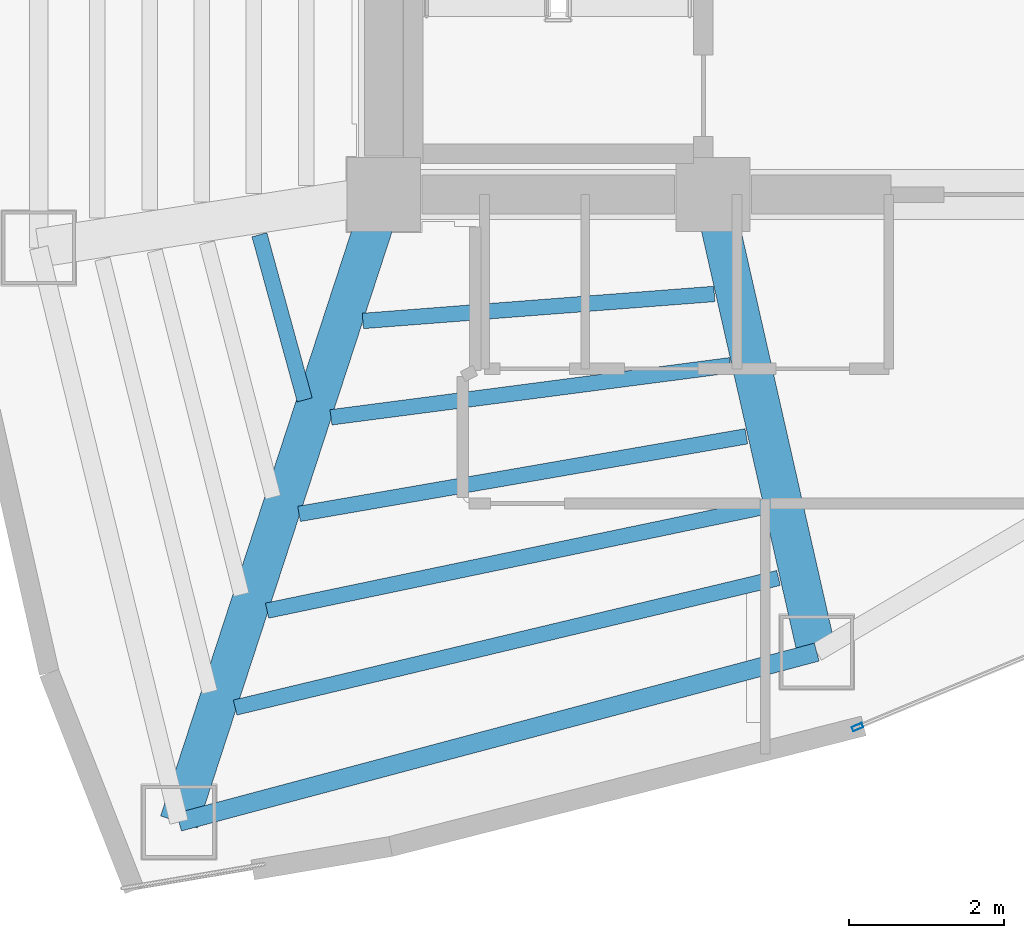
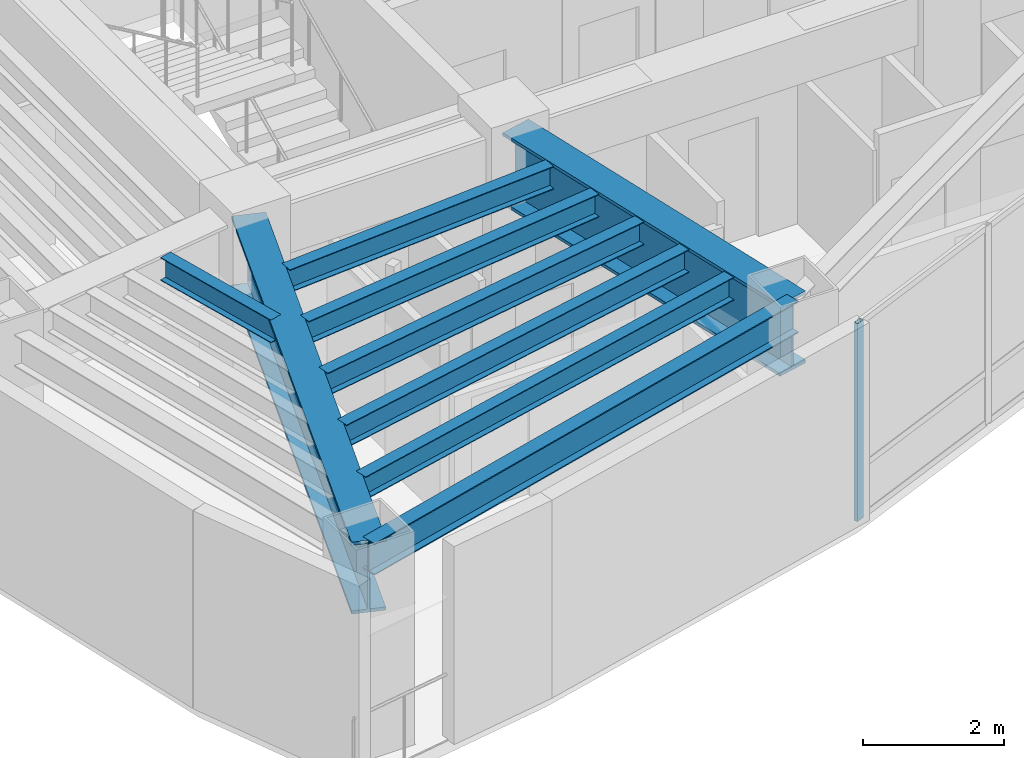
# One storey, part 3 of 14: 9 beams, 1 member, 1 element without a shape of its own.
"""IFC4 building model written with IfcOpenShell, lengths in metres."""

from ifc_helpers import new_model, si_unit, direction, frame, origin, origin_2d, place, context, subcontext, project, spatial, hollow_rectangle, i_section, extrude, material, layer, layer_set, material_profile, profile_set, type_object, element, aggregate, save


model = new_model("IFC4")

# Units and contexts
model_context = context("Model", 3, precision=1e-05, world=origin(), true_north=direction((0.0, 1.0)))
body_context = subcontext(model_context, "Body", "Model", "MODEL_VIEW")
ifc_project = project(units=[si_unit("LENGTHUNIT", "METRE"), si_unit("AREAUNIT", "SQUARE_METRE"), si_unit("VOLUMEUNIT", "CUBIC_METRE"), si_unit("PLANEANGLEUNIT", "RADIAN"), si_unit("MASSUNIT", "GRAM", prefix="KILO")], contexts=[model_context])

# Site, building, storey
site_placement = place(None, origin())
site = spatial("IfcSite", under=ifc_project, at=site_placement, CompositionType="ELEMENT")
building_placement = place(site_placement, origin())
building = spatial("IfcBuilding", under=site, at=building_placement, Name="Menara Vayukalpa", CompositionType="ELEMENT")
storey_placement = place(building_placement, frame((0.0, 0.0, 191.52001953125)))
storey = spatial("IfcBuildingStorey", under=building, at=storey_placement, Name="L48", CompositionType="ELEMENT", Elevation=191.52001953125)

# Beams
ifc_material_1 = material(Name="Steel S355", Category="steel")
ifc_material_profile_1 = material_profile(ifc_material_1, i_section(OverallWidth=0.199951171875, OverallDepth=0.39990234375, WebThickness=0.008056640625, FlangeThickness=0.012939453125, at=origin_2d()), Name="WF 400x200x8x13")
ifc_profile_set_1 = profile_set([ifc_material_profile_1], Name="Steel S355")
beam_type_1 = type_object("IfcBeamType", Name="BM-SJ2", PredefinedType="JOIST", material=ifc_profile_set_1)
beam_1_placement = place(storey_placement, frame((16.193359375, 16.68017578125, 3.239990234375), z_axis=(0.264537731064, -0.964375336082, 0.0), x_axis=(0.964375336082, 0.264537731064, 0.0)))
element("IfcBeam", 1, at=beam_1_placement, inside=storey, type_object=beam_type_1, Name="L48 Secondary Floor Joist SJ06-2", PredefinedType="JOIST", context=body_context, shape_type="SweptSolid", body=[
    extrude(i_section(OverallWidth=0.199951171875, OverallDepth=0.39990234375, WebThickness=0.008056640625, FlangeThickness=0.012939453125, at=origin_2d()), origin(), (0.0, 0.0, 1.0), 2.21044921875),
])
beam_2_placement = place(storey_placement, frame((17.529296875, 15.5673828125, 3.239990234375), z_axis=(0.997061738615, 0.076602150037, 0.0), x_axis=(-0.076602150037, 0.997061738615, 0.0)))
element("IfcBeam", 2, at=beam_2_placement, inside=storey, type_object=beam_type_1, Name="L48 Secondary Floor Joist SJ07-1", PredefinedType="JOIST", context=body_context, shape_type="SweptSolid", body=[
    extrude(i_section(OverallWidth=0.199951171875, OverallDepth=0.39990234375, WebThickness=0.008056640625, FlangeThickness=0.012939453125, at=origin_2d()), origin(), (0.0, 0.0, 1.0), 4.55126953125),
])
beam_3_placement = place(storey_placement, frame((17.1171875, 14.322998046875, 3.239990234375), z_axis=(0.991607477549, 0.129284997073, 0.0), x_axis=(-0.129284997073, 0.991607477549, 0.0)))
element("IfcBeam", 3, at=beam_3_placement, inside=storey, type_object=beam_type_1, Name="L48 Secondary Floor Joist SJ07-2", PredefinedType="JOIST", context=body_context, shape_type="SweptSolid", body=[
    extrude(i_section(OverallWidth=0.199951171875, OverallDepth=0.39990234375, WebThickness=0.008056640625, FlangeThickness=0.012939453125, at=origin_2d()), origin(), (0.0, 0.0, 1.0), 5.20068359375),
])
beam_4_placement = place(storey_placement, frame((16.70458984375, 13.075927734375, 3.239990234375), z_axis=(0.985288673675, 0.17089830171, 0.0), x_axis=(-0.17089830171, 0.985288673675, 0.0)))
element("IfcBeam", 4, at=beam_4_placement, inside=storey, type_object=beam_type_1, Name="L48 Secondary Floor Joist SJ07-3", PredefinedType="JOIST", context=body_context, shape_type="SweptSolid", body=[
    extrude(i_section(OverallWidth=0.199951171875, OverallDepth=0.39990234375, WebThickness=0.008056640625, FlangeThickness=0.012939453125, at=origin_2d()), origin(), (0.0, 0.0, 1.0), 5.86279296875),
])
beam_5_placement = place(storey_placement, frame((16.2919921875, 11.82666015625, 3.239990234375), z_axis=(0.978885821619, 0.204407798858, 0.0), x_axis=(-0.204407798858, 0.978885821619, 0.0)))
element("IfcBeam", 5, at=beam_5_placement, inside=storey, type_object=beam_type_1, Name="L48 Secondary Floor Joist SJ07-4", PredefinedType="JOIST", context=body_context, shape_type="SweptSolid", body=[
    extrude(i_section(OverallWidth=0.199951171875, OverallDepth=0.39990234375, WebThickness=0.008056640625, FlangeThickness=0.012939453125, at=origin_2d()), origin(), (0.0, 0.0, 1.0), 6.534423828125),
])
beam_6_placement = place(storey_placement, frame((15.879638671875, 10.57568359375, 3.239990234375), z_axis=(0.972730982846, 0.231936273601, 0.0), x_axis=(-0.231936273601, 0.972730982846, 0.0)))
element("IfcBeam", 6, at=beam_6_placement, inside=storey, type_object=beam_type_1, Name="L48 Secondary Floor Joist SJ07-5", PredefinedType="JOIST", context=body_context, shape_type="SweptSolid", body=[
    extrude(i_section(OverallWidth=0.199951171875, OverallDepth=0.39990234375, WebThickness=0.008056640625, FlangeThickness=0.012939453125, at=origin_2d()), origin(), (0.0, 0.0, 1.0), 7.212646484375),
])
ifc_material_2 = material(Name="Steel S355", Category="steel")
ifc_material_profile_2 = material_profile(ifc_material_2, i_section(OverallWidth=0.239990234375, OverallDepth=0.550048828125, WebThickness=0.010986328125, FlangeThickness=0.01904296875, at=origin_2d()), Name="WF 550x240x11x19")
ifc_profile_set_2 = profile_set([ifc_material_profile_2], Name="Steel S355")
beam_type_2 = type_object("IfcBeamType", Name="BM-SP2", PredefinedType="SPANDREL", material=ifc_profile_set_2)
beam_7_placement = place(storey_placement, frame((15.15478515625, 9.097412109375, 3.1650390625), z_axis=(0.966287699272, 0.25746472037, 0.0), x_axis=(-0.25746472037, 0.966287699272, 0.0)))
element("IfcBeam", 7, at=beam_7_placement, inside=storey, type_object=beam_type_2, Name="L48 Perimeter Spandrel Beam SP07", PredefinedType="SPANDREL", context=body_context, shape_type="SweptSolid", body=[
    extrude(i_section(OverallWidth=0.239990234375, OverallDepth=0.550048828125, WebThickness=0.010986328125, FlangeThickness=0.01904296875, at=origin_2d()), origin(), (0.0, 0.0, 1.0), 8.52197265625),
])
ifc_material_3 = material(Name="Steel S460", Category="steel")
ifc_material_profile_3 = material_profile(ifc_material_3, i_section(OverallWidth=0.5, OverallDepth=1.25, WebThickness=0.028076171875, FlangeThickness=0.054931640625, at=origin_2d()), Name="WG 1250x500x28x55")
ifc_profile_set_3 = profile_set([ifc_material_profile_3], Name="Steel S460")
beam_type_3 = type_object("IfcBeamType", Name="BM-TG2", PredefinedType="BEAM", material=ifc_profile_set_3)
beam_8_placement = place(storey_placement, frame((17.722412109375, 16.96240234375, 2.81494140625), z_axis=(-0.310343552153, -0.950624468251, 0.0), x_axis=(0.950624468251, -0.310343552153, 0.0)))
element("IfcBeam", 8, at=beam_8_placement, inside=storey, type_object=beam_type_3, Name="L48 Primary Radial Girder RG07", PredefinedType="BEAM", context=body_context, shape_type="SweptSolid", body=[
    extrude(i_section(OverallWidth=0.5, OverallDepth=1.25, WebThickness=0.028076171875, FlangeThickness=0.054931640625, at=origin_2d()), origin(), (0.0, 0.0, 1.0), 8.2734375),
])
beam_9_placement = place(storey_placement, frame((22.105224609375, 16.956298828125, 2.81494140625), z_axis=(0.221085149161, -0.975254508741, 0.0), x_axis=(0.975254508741, 0.221085149161, 0.0)))
element("IfcBeam", 9, at=beam_9_placement, inside=storey, type_object=beam_type_3, Name="L48 Primary Radial Girder RG08", PredefinedType="BEAM", context=body_context, shape_type="SweptSolid", body=[
    extrude(i_section(OverallWidth=0.5, OverallDepth=1.25, WebThickness=0.028076171875, FlangeThickness=0.054931640625, at=origin_2d()), origin(), (0.0, 0.0, 1.0), 5.80859375),
])

# Curtain wall, member
ifc_material_4 = material(Name="Anodised Terracotta Aluminium Alloy 6063-T6", Category="masonry")
ifc_layer = layer(ifc_material_4, 0.139892578125)
ifc_layer_set = layer_set([ifc_layer], Name="Anodised Terracotta Aluminium Alloy 6063-T6")
curtain_wall_type = type_object("IfcCurtainWallType", Name="CW-CW5", PredefinedType="USERDEFINED", material=ifc_layer_set)
curtain_wall_placement = place(storey_placement, origin())
curtain_wall = element("IfcCurtainWall", 10, at=curtain_wall_placement, inside=storey, type_object=curtain_wall_type, Name="L48 High Rise Tapered Curtain Wall CW5 16", ObjectType="UNITISED", PredefinedType="USERDEFINED")
ifc_material_5 = material(Name="Anodised Terracotta Aluminium Alloy 6063-T6", Category="masonry")
ifc_material_profile_4 = material_profile(ifc_material_5, hollow_rectangle(XDim=0.06005859375, YDim=0.139892578125, WallThickness=0.00341796875, at=origin_2d()), Name="ALU 60x140x3.5")
ifc_profile_set_4 = profile_set([ifc_material_profile_4], Name="Anodised Terracotta Aluminium Alloy 6063-T6")
member_type = type_object("IfcMemberType", Name="CWM-CW5", PredefinedType="MULLION", material=ifc_profile_set_4)
member_placement = place(storey_placement, frame((23.916259765625, 10.322998046875, 0.0), z_axis=(0.0, 0.0, 1.0), x_axis=(-0.385902834406, 0.922539431351, 0.0)))
member = element("IfcMember", 11, at=member_placement, type_object=member_type, Name="CW5 mullion 1", PredefinedType="MULLION", context=body_context, shape_type="SweptSolid", body=[
    extrude(hollow_rectangle(XDim=0.06005859375, YDim=0.139892578125, WallThickness=0.00341796875, at=origin_2d()), origin(), (0.0, 0.0, 1.0), 3.43994140625),
])
aggregate(curtain_wall, [member])

save(model, "model.ifc")
